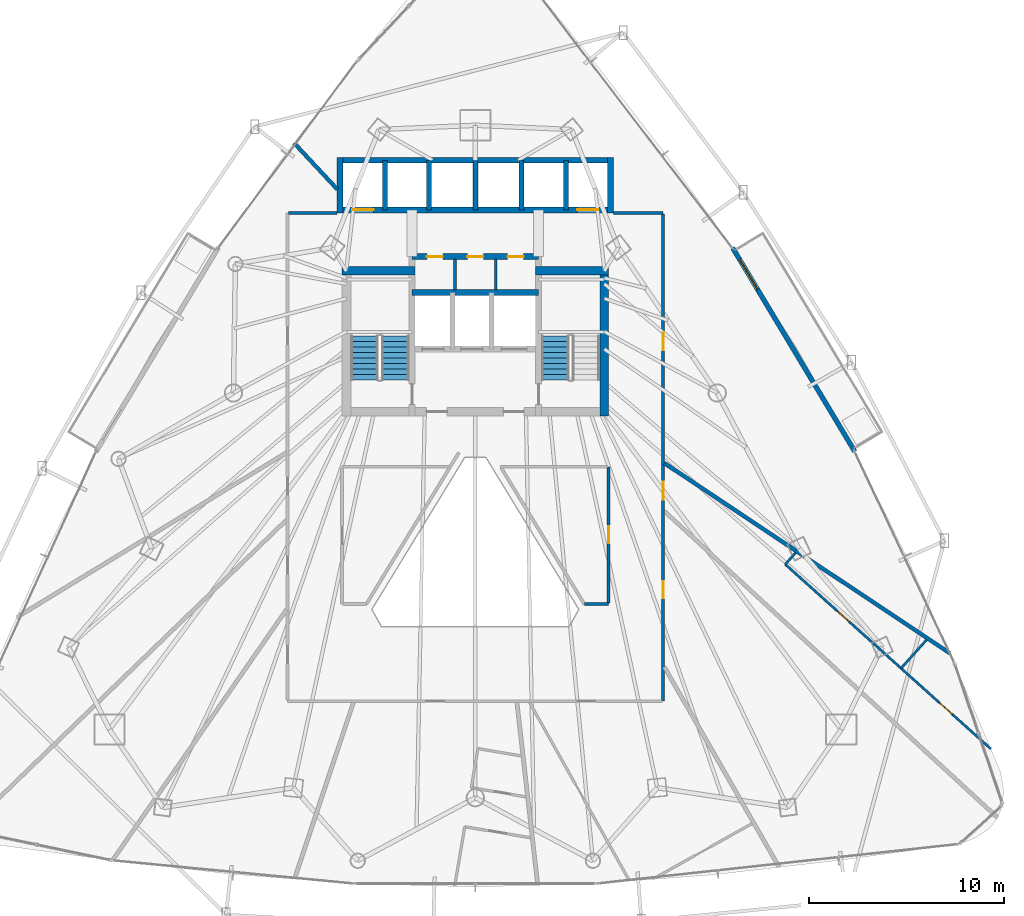
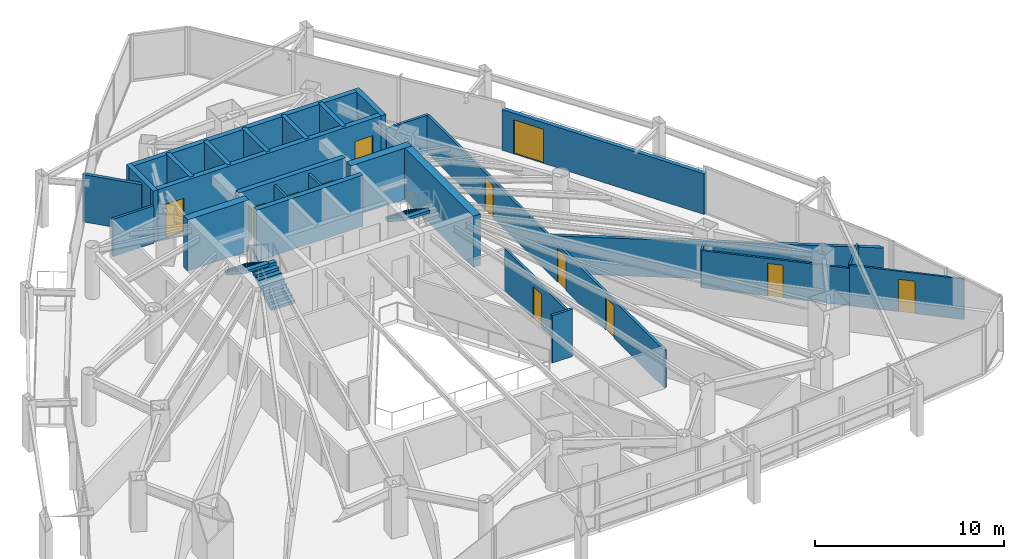
# One storey, part 29 of 33: 28 walls, 12 doors, 3 stair flights, 12 openings, 2 elements without a shape of their own.
"""IFC4 building model written with IfcOpenShell, lengths in metres."""

from ifc_helpers import new_model, si_unit, direction, frame, frame_2d, origin, place, context, subcontext, project, spatial, polyline, rectangle, outline, extrude, material, layer, layer_set, type_object, element, fill, aggregate, save


model = new_model("IFC4")

# Units and contexts
model_context = context("Model", 3, precision=1e-05, world=origin(), true_north=direction((0.0, 1.0)))
body_context = subcontext(model_context, "Body", "Model", "MODEL_VIEW")
ifc_project = project(units=[si_unit("LENGTHUNIT", "METRE"), si_unit("AREAUNIT", "SQUARE_METRE"), si_unit("VOLUMEUNIT", "CUBIC_METRE"), si_unit("PLANEANGLEUNIT", "RADIAN"), si_unit("MASSUNIT", "GRAM", prefix="KILO")], contexts=[model_context])

# Site, building, storey
site_placement = place(None, origin())
site = spatial("IfcSite", under=ifc_project, at=site_placement, CompositionType="ELEMENT")
building_placement = place(site_placement, origin())
building = spatial("IfcBuilding", under=site, at=building_placement, Name="Orvanel Arch Residences", CompositionType="ELEMENT")
storey_placement = place(building_placement, frame((0.0, 0.0, 90.64990234375)))
storey = spatial("IfcBuildingStorey", under=building, at=storey_placement, Name="L25", CompositionType="ELEMENT", Elevation=90.64990234375)

# Wall, opening, door
ifc_material_1 = material(Name="Precast concrete N50 (50 MPa)", Category="concrete")
ifc_layer_1 = layer(ifc_material_1, 0.239990234375)
ifc_layer_set_1 = layer_set([ifc_layer_1], Name="Precast concrete N50 (50 MPa)")
wall_type_1 = type_object("IfcWallType", Name="EW-BAL-240", PredefinedType="SOLIDWALL", material=ifc_layer_set_1)
wall_1_placement = place(storey_placement, frame((52.5029296875, 24.6279296875, 0.0), z_axis=(0.0, 0.0, 1.0), x_axis=(-0.514369419392, 0.857568714678, 0.0)))
wall_1 = element("IfcWall", 1, at=wall_1_placement, inside=storey, type_object=wall_type_1, Name="L25 Balcony Threshold Wall Face 3", PredefinedType="SOLIDWALL", context=body_context, shape_type="SweptSolid", body=[
    extrude(rectangle(XDim=12.220458984375, YDim=0.239990234375, at=frame_2d((6.1103515625, 0.0))), origin(), (0.0, 0.0, 1.0), 2.6240234375),
])
opening_1_placement = place(wall_1_placement, frame((9.722900390625, 0.0, 0.0)))
opening_1 = element("IfcOpeningElement", 2, at=opening_1_placement, cuts=wall_1, Name="Opening DB-180", PredefinedType="OPENING", context=body_context, shape_type="SweptSolid", body=[
    extrude(rectangle(XDim=1.800048828125, YDim=2.199951171875, at=frame_2d((0.89990234375, 1.10009765625))), frame((0.0, 0.1298828125, 0.0), z_axis=(0.0, -1.0, 0.0), x_axis=(1.0, 0.0, 0.0)), (0.0, 0.0, 1.0), 0.260009765625),
])
ifc_material_2 = material(Name="Bronze-anodised aluminium AA6063-T6", Category="aluminium")
door_type_1 = type_object("IfcDoorType", Name="DR-BAL-1800", OperationType="NOTDEFINED", PredefinedType="DOOR", material=ifc_material_2)
door_1_placement = place(opening_1_placement, origin())
door_1 = element("IfcDoor", 3, at=door_1_placement, inside=storey, type_object=door_type_1, Name="DR-L25-BAL-F3 L25 Planted Balcony Access Door Face 3", OperationType="SINGLE_SWING_RIGHT", OverallHeight=2.199951171875, OverallWidth=1.800048828125, PredefinedType="DOOR", context=body_context, shape_type="SweptSolid", body=[
    extrude(rectangle(XDim=1.800048828125, YDim=2.199951171875, at=frame_2d((0.89990234375, 1.10009765625))), frame((0.0, 0.02490234375, 0.0), z_axis=(0.0, -1.0, 0.0), x_axis=(1.0, 0.0, 0.0)), (0.0, 0.0, 1.0), 0.050048828125),
])
fill(opening_1, door_1)

# Walls
ifc_material_3 = material(Name="Concrete N50 (50 MPa)", Category="concrete")
ifc_layer_2 = layer(ifc_material_3, 0.25)
ifc_layer_set_2 = layer_set([ifc_layer_2], Name="Concrete N50 (50 MPa)")
wall_type_2 = type_object("IfcWallType", Name="SW-CORE-250", PredefinedType="SHEAR", material=ifc_layer_set_2)
for number, where, z_axis, x_axis, name in (
    (4, (28.35009765625, 37.050048828125, 0.0), (0.0, 0.0, 1.0), (0.0, 1.0, 0.0), "L25 Passenger Lift Inter-Shaft Wall P13"),
    (5, (30.625, 37.050048828125, 0.0), (0.0, 0.0, 1.0), (0.0, 1.0, 0.0), "L25 Passenger Lift Inter-Shaft Wall P35"),
    (6, (33.0, 37.050048828125, 0.0), (0.0, 0.0, 1.0), (0.0, 1.0, 0.0), "L25 Passenger Lift Inter-Shaft Wall P56"),
    (7, (35.375, 37.050048828125, 0.0), (0.0, 0.0, 1.0), (0.0, 1.0, 0.0), "L25 Passenger Lift Inter-Shaft Wall P64"),
    (8, (37.64990234375, 37.050048828125, 0.0), (0.0, 0.0, 1.0), (0.0, 1.0, 0.0), "L25 Passenger Lift Inter-Shaft Wall P42"),
):
    element("IfcWall", number, at=place(storey_placement, frame(where, z_axis=z_axis, x_axis=x_axis)), inside=storey, type_object=wall_type_2, Name=name, PredefinedType="SHEAR", context=body_context, shape_type="SweptSolid", body=[
        extrude(rectangle(XDim=2.550048828125, YDim=0.25, at=frame_2d((1.27490234375, 0.0))), origin(), (0.0, 0.0, 1.0), 3.300048828125),
    ])
ifc_material_4 = material(Name="Concrete S80 (80 MPa)", Category="concrete")
ifc_layer_3 = layer(ifc_material_4, 0.300048828125)
ifc_layer_set_3 = layer_set([ifc_layer_3], Name="Concrete S80 (80 MPa)")
wall_type_3 = type_object("IfcWallType", Name="SW-CORE-300", PredefinedType="SHEAR", material=ifc_layer_set_3)
wall_2_placement = place(storey_placement, frame((29.75, 32.800048828125, 0.0), z_axis=(0.0, 0.0, 1.0), x_axis=(1.0, 0.0, 0.0)))
element("IfcWall", 9, at=wall_2_placement, inside=storey, type_object=wall_type_3, Name="L25 Emergency Lift Back Core Shear Wall", PredefinedType="SHEAR", context=body_context, shape_type="SweptSolid", body=[
    extrude(rectangle(XDim=6.5, YDim=0.300048828125, at=frame_2d((3.25, 0.0))), origin(), (0.0, 0.0, 1.0), 3.300048828125),
])

# Wall, openings, doors
wall_3_placement = place(storey_placement, frame((29.75, 34.64990234375, 0.0), z_axis=(0.0, 0.0, 1.0), x_axis=(1.0, 0.0, 0.0)))
wall_3 = element("IfcWall", 10, at=wall_3_placement, inside=storey, type_object=wall_type_3, Name="L25 Core Service Band North Shear Wall", PredefinedType="SHEAR", context=body_context, shape_type="SweptSolid", body=[
    extrude(rectangle(XDim=6.5, YDim=0.300048828125, at=frame_2d((3.25, 0.0))), origin(), (0.0, 0.0, 1.0), 3.300048828125),
])
opening_2_placement = place(wall_3_placement, frame((0.764892578125, 0.0, 0.0)))
opening_2 = element("IfcOpeningElement", 11, at=opening_2_placement, cuts=wall_3, Name="Opening DS-082", PredefinedType="OPENING", context=body_context, shape_type="SweptSolid", body=[
    extrude(rectangle(XDim=0.820068359375, YDim=2.10009765625, at=frame_2d((0.41015625, 1.050048828125))), frame((0.0, 0.159912109375, 0.0), z_axis=(0.0, -1.0, 0.0), x_axis=(1.0, 0.0, 0.0)), (0.0, 0.0, 1.0), 0.320068359375),
])
opening_3_placement = place(wall_3_placement, frame((2.840087890625, 0.0, 0.0)))
opening_3 = element("IfcOpeningElement", 12, at=opening_3_placement, cuts=wall_3, Name="Opening DS-082", PredefinedType="OPENING", context=body_context, shape_type="SweptSolid", body=[
    extrude(rectangle(XDim=0.820068359375, YDim=2.10009765625, at=frame_2d((0.41015625, 1.050048828125))), frame((0.0, 0.159912109375, 0.0), z_axis=(0.0, -1.0, 0.0), x_axis=(1.0, 0.0, 0.0)), (0.0, 0.0, 1.0), 0.320068359375),
])
opening_4_placement = place(wall_3_placement, frame((4.9150390625, 0.0, 0.0)))
opening_4 = element("IfcOpeningElement", 13, at=opening_4_placement, cuts=wall_3, Name="Opening DS-082", PredefinedType="OPENING", context=body_context, shape_type="SweptSolid", body=[
    extrude(rectangle(XDim=0.820068359375, YDim=2.10009765625, at=frame_2d((0.41015625, 1.050048828125))), frame((0.0, 0.159912109375, 0.0), z_axis=(0.0, -1.0, 0.0), x_axis=(1.0, 0.0, 0.0)), (0.0, 0.0, 1.0), 0.320068359375),
])
ifc_material_5 = material(Name="Galvanised steel fire-resisting door assembly", Category="steel")
door_type_2 = type_object("IfcDoorType", Name="DR-SVC-820", OperationType="NOTDEFINED", PredefinedType="DOOR", material=ifc_material_5)
door_2_placement = place(opening_2_placement, origin())
door_2 = element("IfcDoor", 14, at=door_2_placement, inside=storey, type_object=door_type_2, Name="DR-L25-CSVC-1 L25 Housekeeping Store Door", OperationType="SINGLE_SWING_LEFT", OverallHeight=2.10009765625, OverallWidth=0.820068359375, PredefinedType="DOOR", context=body_context, shape_type="SweptSolid", body=[
    extrude(rectangle(XDim=0.820068359375, YDim=2.10009765625, at=frame_2d((0.41015625, 1.050048828125))), frame((0.0, 0.02490234375, 0.0), z_axis=(0.0, -1.0, 0.0), x_axis=(1.0, 0.0, 0.0)), (0.0, 0.0, 1.0), 0.050048828125),
])
fill(opening_2, door_2)
door_3_placement = place(opening_3_placement, origin())
door_3 = element("IfcDoor", 15, at=door_3_placement, inside=storey, type_object=door_type_2, Name="DR-L25-CSVC-2 L25 Cleaner's Store Door", OperationType="SINGLE_SWING_LEFT", OverallHeight=2.10009765625, OverallWidth=0.820068359375, PredefinedType="DOOR", context=body_context, shape_type="SweptSolid", body=[
    extrude(rectangle(XDim=0.820068359375, YDim=2.10009765625, at=frame_2d((0.41015625, 1.050048828125))), frame((0.0, 0.02490234375, 0.0), z_axis=(0.0, -1.0, 0.0), x_axis=(1.0, 0.0, 0.0)), (0.0, 0.0, 1.0), 0.050048828125),
])
fill(opening_3, door_3)
door_4_placement = place(opening_4_placement, origin())
door_4 = element("IfcDoor", 16, at=door_4_placement, inside=storey, type_object=door_type_2, Name="DR-L25-CSVC-3 L25 Comms Riser Store Door", OperationType="SINGLE_SWING_LEFT", OverallHeight=2.10009765625, OverallWidth=0.820068359375, PredefinedType="DOOR", context=body_context, shape_type="SweptSolid", body=[
    extrude(rectangle(XDim=0.820068359375, YDim=2.10009765625, at=frame_2d((0.41015625, 1.050048828125))), frame((0.0, 0.02490234375, 0.0), z_axis=(0.0, -1.0, 0.0), x_axis=(1.0, 0.0, 0.0)), (0.0, 0.0, 1.0), 0.050048828125),
])
fill(opening_4, door_4)

wall_4_placement = place(storey_placement, frame((40.10009765625, 37.050048828125, 0.0), z_axis=(0.0, 0.0, 1.0), x_axis=(-1.0, 0.0, 0.0)))
wall_4 = element("IfcWall", 17, at=wall_4_placement, inside=storey, type_object=wall_type_3, Name="L25 Passenger Lift Bank Front Shear Wall", PredefinedType="SHEAR", context=body_context, shape_type="SweptSolid", body=[
    extrude(rectangle(XDim=14.2001953125, YDim=0.300048828125, at=frame_2d((7.10009765625, 0.0))), origin(), (0.0, 0.0, 1.0), 3.300048828125),
])
opening_5_placement = place(wall_4_placement, frame((12.324951171875, 0.0, 0.0)))
opening_5 = element("IfcOpeningElement", 18, at=opening_5_placement, cuts=wall_4, Name="Opening LD-110", PredefinedType="OPENING", context=body_context, shape_type="SweptSolid", body=[
    extrude(rectangle(XDim=1.10009765625, YDim=2.199951171875, at=frame_2d((0.550048828125, 1.10009765625))), frame((0.0, 0.159912109375, 0.0), z_axis=(0.0, -1.0, 0.0), x_axis=(1.0, 0.0, 0.0)), (0.0, 0.0, 1.0), 0.320068359375),
])
opening_6_placement = place(wall_4_placement, frame((0.77490234375, 0.0, 0.0)))
opening_6 = element("IfcOpeningElement", 19, at=opening_6_placement, cuts=wall_4, Name="Opening LD-110", PredefinedType="OPENING", context=body_context, shape_type="SweptSolid", body=[
    extrude(rectangle(XDim=1.10009765625, YDim=2.199951171875, at=frame_2d((0.550048828125, 1.10009765625))), frame((0.0, 0.159912109375, 0.0), z_axis=(0.0, -1.0, 0.0), x_axis=(1.0, 0.0, 0.0)), (0.0, 0.0, 1.0), 0.320068359375),
])
door_type_3 = type_object("IfcDoorType", Name="DR-LFT-1100", OperationType="NOTDEFINED", PredefinedType="DOOR", material=ifc_material_5)
door_5_placement = place(opening_5_placement, origin())
door_5 = element("IfcDoor", 20, at=door_5_placement, inside=storey, type_object=door_type_3, Name="LD-P1-L25 L25 Passenger Lift P1 Sliding Landing Door", OperationType="DOUBLE_DOOR_SLIDING", OverallHeight=2.199951171875, OverallWidth=1.10009765625, PredefinedType="DOOR", context=body_context, shape_type="SweptSolid", body=[
    extrude(rectangle(XDim=1.10009765625, YDim=2.199951171875, at=frame_2d((0.550048828125, 1.10009765625))), frame((0.0, 0.02490234375, 0.0), z_axis=(0.0, -1.0, 0.0), x_axis=(1.0, 0.0, 0.0)), (0.0, 0.0, 1.0), 0.050048828125),
])
fill(opening_5, door_5)
door_6_placement = place(opening_6_placement, origin())
door_6 = element("IfcDoor", 21, at=door_6_placement, inside=storey, type_object=door_type_3, Name="LD-P2-L25 L25 Passenger Lift P2 Sliding Landing Door", OperationType="DOUBLE_DOOR_SLIDING", OverallHeight=2.199951171875, OverallWidth=1.10009765625, PredefinedType="DOOR", context=body_context, shape_type="SweptSolid", body=[
    extrude(rectangle(XDim=1.10009765625, YDim=2.199951171875, at=frame_2d((0.550048828125, 1.10009765625))), frame((0.0, 0.02490234375, 0.0), z_axis=(0.0, -1.0, 0.0), x_axis=(1.0, 0.0, 0.0)), (0.0, 0.0, 1.0), 0.050048828125),
])
fill(opening_6, door_6)

# Walls
wall_5_placement = place(storey_placement, frame((25.89990234375, 39.60009765625, 0.0), z_axis=(0.0, 0.0, 1.0), x_axis=(1.0, 0.0, 0.0)))
element("IfcWall", 22, at=wall_5_placement, inside=storey, type_object=wall_type_3, Name="L25 Passenger Lift Bank North Shear Wall", PredefinedType="SHEAR", context=body_context, shape_type="SweptSolid", body=[
    extrude(rectangle(XDim=14.2001953125, YDim=0.300048828125, at=frame_2d((7.10009765625, 0.0))), origin(), (0.0, 0.0, 1.0), 3.300048828125),
])
for number, where, z_axis, x_axis, name in (
    (23, (26.050048828125, 36.89990234375, 0.0), (0.0, 0.0, 1.0), (0.0, 1.0, 0.0), "L25 Passenger Lift Bank West Shear Wall"),
    (24, (39.949951171875, 36.89990234375, 0.0), (0.0, 0.0, 1.0), (0.0, 1.0, 0.0), "L25 Passenger Lift Bank East Shear Wall"),
):
    element("IfcWall", number, at=place(storey_placement, frame(where, z_axis=z_axis, x_axis=x_axis)), inside=storey, type_object=wall_type_3, Name=name, PredefinedType="SHEAR", context=body_context, shape_type="SweptSolid", body=[
        extrude(rectangle(XDim=2.85009765625, YDim=0.300048828125, at=frame_2d((1.425048828125, 0.0))), origin(), (0.0, 0.0, 1.0), 3.300048828125),
    ])
ifc_layer_4 = layer(ifc_material_4, 0.449951171875)
ifc_layer_set_4 = layer_set([ifc_layer_4], Name="Concrete S80 (80 MPa)")
wall_type_4 = type_object("IfcWallType", Name="SW-CORE-450", PredefinedType="SHEAR", material=ifc_layer_set_4)
wall_6_placement = place(storey_placement, frame((26.14990234375, 33.925048828125, 0.0), z_axis=(0.0, 0.0, 1.0), x_axis=(1.0, 0.0, 0.0)))
element("IfcWall", 25, at=wall_6_placement, inside=storey, type_object=wall_type_4, Name="L25 West Stair North Shear Wall", PredefinedType="SHEAR", context=body_context, shape_type="SweptSolid", body=[
    extrude(rectangle(XDim=3.75, YDim=0.449951171875, at=frame_2d((1.875, 0.0))), origin(), (0.0, 0.0, 1.0), 3.300048828125),
])
wall_7_placement = place(storey_placement, frame((39.625, 26.449951171875, 0.0), z_axis=(0.0, 0.0, 1.0), x_axis=(0.0, 1.0, 0.0)))
element("IfcWall", 26, at=wall_7_placement, inside=storey, type_object=wall_type_4, Name="L25 East Stair Shear Wall", PredefinedType="SHEAR", context=body_context, shape_type="SweptSolid", body=[
    extrude(rectangle(XDim=7.699951171875, YDim=0.449951171875, at=frame_2d((3.85009765625, 0.0))), origin(), (0.0, 0.0, 1.0), 3.300048828125),
])
wall_8_placement = place(storey_placement, frame((36.10009765625, 33.925048828125, 0.0), z_axis=(0.0, 0.0, 1.0), x_axis=(1.0, 0.0, 0.0)))
element("IfcWall", 27, at=wall_8_placement, inside=storey, type_object=wall_type_4, Name="L25 East Stair North Shear Wall", PredefinedType="SHEAR", context=body_context, shape_type="SweptSolid", body=[
    extrude(rectangle(XDim=3.75, YDim=0.449951171875, at=frame_2d((1.875, 0.0))), origin(), (0.0, 0.0, 1.0), 3.300048828125),
])
ifc_material_6 = material(Name="Fire-rated plasterboard lined steel stud partition", Category="steel")
ifc_layer_5 = layer(ifc_material_6, 0.14990234375)
ifc_layer_set_5 = layer_set([ifc_layer_5], Name="Fire-rated plasterboard lined steel stud partition")
wall_type_5 = type_object("IfcWallType", Name="W-COR-150", PredefinedType="PARTITIONING", material=ifc_layer_set_5)
wall_9_placement = place(storey_placement, frame((40.10009765625, 36.89990234375, 0.0), z_axis=(0.0, 0.0, 1.0), x_axis=(1.0, 0.0, 0.0)))
element("IfcWall", 28, at=wall_9_placement, inside=storey, type_object=wall_type_5, Name="L25 Corridor Fire-Rated Partition", PredefinedType="PARTITIONING", context=body_context, shape_type="SweptSolid", body=[
    extrude(rectangle(XDim=2.5498046875, YDim=0.14990234375, at=frame_2d((1.27490234375, 0.0))), origin(), (0.0, 0.0, 1.0), 2.4130859375),
])

# Wall, openings, doors
wall_10_placement = place(storey_placement, frame((42.64990234375, 36.840087890625, 0.0), z_axis=(0.0, 0.0, 1.0), x_axis=(0.0, -1.0, 0.0)))
wall_10 = element("IfcWall", 29, at=wall_10_placement, inside=storey, type_object=wall_type_5, Name="L25 Corridor Fire-Rated Partition", PredefinedType="PARTITIONING", context=body_context, shape_type="SweptSolid", body=[
    extrude(rectangle(XDim=25.0400390625, YDim=0.14990234375, at=frame_2d((12.52001953125, 0.0))), origin(), (0.0, 0.0, 1.0), 2.4130859375),
])
opening_7_placement = place(wall_10_placement, frame((6.114013671875, 0.0, 0.0)))
opening_7 = element("IfcOpeningElement", 30, at=opening_7_placement, cuts=wall_10, Name="Opening DI-088", PredefinedType="OPENING", context=body_context, shape_type="SweptSolid", body=[
    extrude(rectangle(XDim=0.8798828125, YDim=2.10009765625, at=frame_2d((0.43994140625, 1.050048828125))), frame((0.0, 0.0849609375, 0.0), z_axis=(0.0, -1.0, 0.0), x_axis=(1.0, 0.0, 0.0)), (0.0, 0.0, 1.0), 0.169921875),
])
opening_8_placement = place(wall_10_placement, frame((18.864013671875, 0.0, 0.0)))
opening_8 = element("IfcOpeningElement", 31, at=opening_8_placement, cuts=wall_10, Name="Opening DI-088", PredefinedType="OPENING", context=body_context, shape_type="SweptSolid", body=[
    extrude(rectangle(XDim=0.8798828125, YDim=2.10009765625, at=frame_2d((0.43994140625, 1.050048828125))), frame((0.0, 0.0849609375, 0.0), z_axis=(0.0, -1.0, 0.0), x_axis=(1.0, 0.0, 0.0)), (0.0, 0.0, 1.0), 0.169921875),
])
opening_9_placement = place(wall_10_placement, frame((13.764892578125, 0.0, 0.0)))
opening_9 = element("IfcOpeningElement", 32, at=opening_9_placement, cuts=wall_10, Name="Opening DA-092", PredefinedType="OPENING", context=body_context, shape_type="SweptSolid", body=[
    extrude(rectangle(XDim=0.919921875, YDim=2.14990234375, at=frame_2d((0.4599609375, 1.074951171875))), frame((0.0, 0.0849609375, 0.0), z_axis=(0.0, -1.0, 0.0), x_axis=(1.0, 0.0, 0.0)), (0.0, 0.0, 1.0), 0.169921875),
])
ifc_material_7 = material(Name="Solid-core European oak veneer fire door leaf", Category="wood")
door_type_4 = type_object("IfcDoorType", Name="DR-APT-920", OperationType="NOTDEFINED", PredefinedType="DOOR", material=ifc_material_7)
door_7_placement = place(opening_9_placement, origin())
door_7 = element("IfcDoor", 33, at=door_7_placement, inside=storey, type_object=door_type_4, Name="DR-L25-G-ENT L25 Studio G Entrance Door", OperationType="SINGLE_SWING_RIGHT", OverallHeight=2.14990234375, OverallWidth=0.919921875, PredefinedType="DOOR", context=body_context, shape_type="SweptSolid", body=[
    extrude(rectangle(XDim=0.919921875, YDim=2.14990234375, at=frame_2d((0.4599609375, 1.074951171875))), frame((0.0, 0.02490234375, 0.0), z_axis=(0.0, -1.0, 0.0), x_axis=(1.0, 0.0, 0.0)), (0.0, 0.0, 1.0), 0.050048828125),
])
fill(opening_9, door_7)
door_type_5 = type_object("IfcDoorType", Name="DR-INT-880", OperationType="NOTDEFINED", PredefinedType="DOOR", material=ifc_material_7)
door_8_placement = place(opening_7_placement, origin())
door_8 = element("IfcDoor", 34, at=door_8_placement, inside=storey, type_object=door_type_5, Name="DR-L25-STU25-1 L25 Resident Study Lounge 1 Door", OperationType="SINGLE_SWING_LEFT", OverallHeight=2.10009765625, OverallWidth=0.8798828125, PredefinedType="DOOR", context=body_context, shape_type="SweptSolid", body=[
    extrude(rectangle(XDim=0.8798828125, YDim=2.10009765625, at=frame_2d((0.43994140625, 1.050048828125))), frame((0.0, 0.02490234375, 0.0), z_axis=(0.0, -1.0, 0.0), x_axis=(1.0, 0.0, 0.0)), (0.0, 0.0, 1.0), 0.050048828125),
])
fill(opening_7, door_8)
door_9_placement = place(opening_8_placement, origin())
door_9 = element("IfcDoor", 35, at=door_9_placement, inside=storey, type_object=door_type_5, Name="DR-L25-STU25-2 L25 Resident Study Lounge 2 Door", OperationType="SINGLE_SWING_LEFT", OverallHeight=2.10009765625, OverallWidth=0.8798828125, PredefinedType="DOOR", context=body_context, shape_type="SweptSolid", body=[
    extrude(rectangle(XDim=0.8798828125, YDim=2.10009765625, at=frame_2d((0.43994140625, 1.050048828125))), frame((0.0, 0.02490234375, 0.0), z_axis=(0.0, -1.0, 0.0), x_axis=(1.0, 0.0, 0.0)), (0.0, 0.0, 1.0), 0.050048828125),
])
fill(opening_8, door_9)

# Walls
wall_11_placement = place(storey_placement, frame((23.409912109375, 36.89990234375, 0.0), z_axis=(0.0, 0.0, 1.0), x_axis=(1.0, 0.0, 0.0)))
element("IfcWall", 36, at=wall_11_placement, inside=storey, type_object=wall_type_5, Name="L25 Corridor Fire-Rated Partition", PredefinedType="PARTITIONING", context=body_context, shape_type="SweptSolid", body=[
    extrude(rectangle(XDim=2.489990234375, YDim=0.14990234375, at=frame_2d((1.2451171875, 0.0))), origin(), (0.0, 0.0, 1.0), 2.4130859375),
])
wall_12_placement = place(storey_placement, frame((38.60400390625, 16.800048828125, 0.0), z_axis=(0.0, 0.0, 1.0), x_axis=(1.0, 0.0, 0.0)))
element("IfcWall", 37, at=wall_12_placement, inside=storey, type_object=wall_type_5, Name="L25 Corridor Fire-Rated Partition", PredefinedType="PARTITIONING", context=body_context, shape_type="SweptSolid", body=[
    extrude(rectangle(XDim=1.24609375, YDim=0.14990234375, at=frame_2d((0.623046875, 0.0))), origin(), (0.0, 0.0, 1.0), 3.06005859375),
])

# Wall, opening, door
wall_13_placement = place(storey_placement, frame((39.85009765625, 16.860107421875, 0.0), z_axis=(0.0, 0.0, 1.0), x_axis=(0.0, 1.0, 0.0)))
wall_13 = element("IfcWall", 38, at=wall_13_placement, inside=storey, type_object=wall_type_5, Name="L25 Corridor Fire-Rated Partition", PredefinedType="PARTITIONING", context=body_context, shape_type="SweptSolid", body=[
    extrude(rectangle(XDim=6.989990234375, YDim=0.14990234375, at=frame_2d((3.4951171875, 0.0))), origin(), (0.0, 0.0, 1.0), 2.669189453125),
])
opening_10_placement = place(wall_13_placement, frame((3.054931640625, 0.0, 0.0)))
opening_10 = element("IfcOpeningElement", 39, at=opening_10_placement, cuts=wall_13, Name="Opening DI-088", PredefinedType="OPENING", context=body_context, shape_type="SweptSolid", body=[
    extrude(rectangle(XDim=0.8798828125, YDim=2.10009765625, at=frame_2d((0.43994140625, 1.050048828125))), frame((0.0, 0.0849609375, 0.0), z_axis=(0.0, -1.0, 0.0), x_axis=(1.0, 0.0, 0.0)), (0.0, 0.0, 1.0), 0.169921875),
])
door_10_placement = place(opening_10_placement, origin())
door_10 = element("IfcDoor", 40, at=door_10_placement, inside=storey, type_object=door_type_5, Name="DR-L25-SHRD-FB8 L25 Co-Working Study Office H Door", OperationType="SINGLE_SWING_LEFT", OverallHeight=2.10009765625, OverallWidth=0.8798828125, PredefinedType="DOOR", context=body_context, shape_type="SweptSolid", body=[
    extrude(rectangle(XDim=0.8798828125, YDim=2.10009765625, at=frame_2d((0.43994140625, 1.050048828125))), frame((0.0, 0.02490234375, 0.0), z_axis=(0.0, -1.0, 0.0), x_axis=(1.0, 0.0, 0.0)), (0.0, 0.0, 1.0), 0.050048828125),
])
fill(opening_10, door_10)

# Walls
ifc_layer_6 = layer(ifc_material_6, 0.199951171875)
ifc_layer_set_6 = layer_set([ifc_layer_6], Name="Fire-rated plasterboard lined steel stud partition")
wall_type_6 = type_object("IfcWallType", Name="W-DEM-200", PredefinedType="PARTITIONING", material=ifc_layer_set_6)
wall_14_placement = place(storey_placement, frame((25.9150390625, 38.097900390625, 0.0), z_axis=(0.0, 0.0, 1.0), x_axis=(-0.682046951702, 0.731308386165, 0.0)))
element("IfcWall", 41, at=wall_14_placement, inside=storey, type_object=wall_type_6, Name="L25 Inter-Tenancy Acoustic Demising Wall", PredefinedType="PARTITIONING", context=body_context, shape_type="SweptSolid", body=[
    extrude(rectangle(XDim=3.27099609375, YDim=0.199951171875, at=frame_2d((1.635498046875, 0.0))), origin(), (0.0, 0.0, 1.0), 3.06005859375),
])
wall_15_placement = place(storey_placement, frame((57.39306640625, 14.262939453125, 0.0), z_axis=(0.0, 0.0, 1.0), x_axis=(-0.83243126042, 0.554128321488, 0.0)))
element("IfcWall", 42, at=wall_15_placement, inside=storey, type_object=wall_type_6, Name="L25 Inter-Tenancy Acoustic Demising Wall", PredefinedType="PARTITIONING", context=body_context, shape_type="SweptSolid", body=[
    extrude(rectangle(XDim=17.638916015625, YDim=0.199951171875, at=frame_2d((8.8193359375, 0.0))), origin(), (0.0, 0.0, 1.0), 2.4130859375),
])
ifc_layer_7 = layer(ifc_material_6, 0.14990234375)
ifc_layer_set_7 = layer_set([ifc_layer_7], Name="Fire-rated plasterboard lined steel stud partition")
wall_type_7 = type_object("IfcWallType", Name="W-ST-150", PredefinedType="PARTITIONING", material=ifc_layer_set_7)
for number, where, z_axis, x_axis, name in (
    (43, (31.949951171875, 32.93505859375, 0.0), (0.0, 0.0, 1.0), (0.0, 1.0, 0.0), "L25 Core Service Partition 1"),
    (44, (34.050048828125, 32.93505859375, 0.0), (0.0, 0.0, 1.0), (0.0, 1.0, 0.0), "L25 Core Service Partition 2"),
):
    element("IfcWall", number, at=place(storey_placement, frame(where, z_axis=z_axis, x_axis=x_axis)), inside=storey, type_object=wall_type_7, Name=name, PredefinedType="PARTITIONING", context=body_context, shape_type="SweptSolid", body=[
        extrude(rectangle(XDim=1.579833984375, YDim=0.14990234375, at=frame_2d((0.7900390625, 0.0))), origin(), (0.0, 0.0, 1.0), 3.06005859375),
    ])
ifc_material_8 = material(Name="Acoustic plasterboard lined twin-stud partition", Category="gypsum")
ifc_layer_8 = layer(ifc_material_8, 0.1201171875)
ifc_layer_set_8 = layer_set([ifc_layer_8], Name="Acoustic plasterboard lined twin-stud partition")
wall_type_8 = type_object("IfcWallType", Name="W-WET-120", PredefinedType="PARTITIONING", material=ifc_layer_set_8)
wall_16_placement = place(storey_placement, frame((49.467041015625, 19.43701171875, 0.0), z_axis=(0.0, 0.0, 1.0), x_axis=(-0.667729657393, -0.744403858559, 0.0)))
element("IfcWall", 45, at=wall_16_placement, inside=storey, type_object=wall_type_8, Name="L25 Studio G Bathroom Partition", PredefinedType="PARTITIONING", context=body_context, shape_type="SweptSolid", body=[
    extrude(rectangle(XDim=0.808837890625, YDim=0.1201171875, at=frame_2d((0.404296875, 0.0))), origin(), (0.0, 0.0, 1.0), 2.4130859375),
])

# Wall, opening, door
wall_17_placement = place(storey_placement, frame((48.927001953125, 18.8349609375, 0.0), z_axis=(0.0, 0.0, 1.0), x_axis=(0.744157434795, -0.668004275615, 0.0)))
wall_17 = element("IfcWall", 46, at=wall_17_placement, inside=storey, type_object=wall_type_8, Name="L25 Studio G Bathroom Partition", PredefinedType="PARTITIONING", context=body_context, shape_type="SweptSolid", body=[
    extrude(rectangle(XDim=7.99560546875, YDim=0.1201171875, at=frame_2d((3.997802734375, 0.0))), origin(), (0.0, 0.0, 1.0), 2.4130859375),
])
opening_11_placement = place(wall_17_placement, frame((3.587890625, 0.0, 0.0)))
opening_11 = element("IfcOpeningElement", 47, at=opening_11_placement, cuts=wall_17, Name="Opening DW-082", PredefinedType="OPENING", context=body_context, shape_type="SweptSolid", body=[
    extrude(rectangle(XDim=0.820068359375, YDim=2.10009765625, at=frame_2d((0.41015625, 1.050048828125))), frame((0.0, 0.070068359375, 0.0), z_axis=(0.0, -1.0, 0.0), x_axis=(1.0, 0.0, 0.0)), (0.0, 0.0, 1.0), 0.14013671875),
])
door_type_6 = type_object("IfcDoorType", Name="DR-WET-820", OperationType="NOTDEFINED", PredefinedType="DOOR", material=ifc_material_7)
door_11_placement = place(opening_11_placement, origin())
door_11 = element("IfcDoor", 48, at=door_11_placement, inside=storey, type_object=door_type_6, Name="DR-L25-G-BATH L25 Studio G Bathroom Door", OperationType="SINGLE_SWING_RIGHT", OverallHeight=2.10009765625, OverallWidth=0.820068359375, PredefinedType="DOOR", context=body_context, shape_type="SweptSolid", body=[
    extrude(rectangle(XDim=0.820068359375, YDim=2.10009765625, at=frame_2d((0.41015625, 1.050048828125))), frame((0.0, 0.02490234375, 0.0), z_axis=(0.0, -1.0, 0.0), x_axis=(1.0, 0.0, 0.0)), (0.0, 0.0, 1.0), 0.050048828125),
])
fill(opening_11, door_11)

wall_18_placement = place(storey_placement, frame((54.876953125, 13.493896484375, 0.0), z_axis=(0.0, 0.0, 1.0), x_axis=(0.744181011259, -0.667978010477, 0.0)))
wall_18 = element("IfcWall", 49, at=wall_18_placement, inside=storey, type_object=wall_type_8, Name="L25 Studio G Internal Partition", PredefinedType="PARTITIONING", context=body_context, shape_type="SweptSolid", body=[
    extrude(rectangle(XDim=6.1962890625, YDim=0.1201171875, at=frame_2d((3.09814453125, 0.0))), origin(), (0.0, 0.0, 1.0), 2.619140625),
])
opening_12_placement = place(wall_18_placement, frame((2.657958984375, 0.0, 0.0)))
opening_12 = element("IfcOpeningElement", 50, at=opening_12_placement, cuts=wall_18, Name="Opening DI-088", PredefinedType="OPENING", context=body_context, shape_type="SweptSolid", body=[
    extrude(rectangle(XDim=0.8798828125, YDim=2.10009765625, at=frame_2d((0.43994140625, 1.050048828125))), frame((0.0, 0.070068359375, 0.0), z_axis=(0.0, -1.0, 0.0), x_axis=(1.0, 0.0, 0.0)), (0.0, 0.0, 1.0), 0.14013671875),
])
door_12_placement = place(opening_12_placement, origin())
door_12 = element("IfcDoor", 51, at=door_12_placement, inside=storey, type_object=door_type_5, Name="DR-L25-G-KIT L25 Studio G Kitchenette Door", OperationType="SINGLE_SWING_LEFT", OverallHeight=2.10009765625, OverallWidth=0.8798828125, PredefinedType="DOOR", context=body_context, shape_type="SweptSolid", body=[
    extrude(rectangle(XDim=0.8798828125, YDim=2.10009765625, at=frame_2d((0.43994140625, 1.050048828125))), frame((0.0, 0.02490234375, 0.0), z_axis=(0.0, -1.0, 0.0), x_axis=(1.0, 0.0, 0.0)), (0.0, 0.0, 1.0), 0.050048828125),
])
fill(opening_12, door_12)

# Wall
wall_19_placement = place(storey_placement, frame((56.193115234375, 14.9599609375, 0.0), z_axis=(0.0, 0.0, 1.0), x_axis=(-0.668039966909, -0.744125394414, 0.0)))
element("IfcWall", 52, at=wall_19_placement, inside=storey, type_object=wall_type_8, Name="L25 Studio G Bathroom Partition", PredefinedType="PARTITIONING", context=body_context, shape_type="SweptSolid", body=[
    extrude(rectangle(XDim=1.97021484375, YDim=0.1201171875, at=frame_2d((0.985107421875, 0.0))), origin(), (0.0, 0.0, 1.0), 2.619140625),
])

# Stair, stair flights
stair_type = type_object("IfcStairType", Name="STR-DOG-184", PredefinedType="USERDEFINED", material=ifc_material_1)
stair_1_placement = place(storey_placement, origin())
stair_1 = element("IfcStair", 53, at=stair_1_placement, inside=storey, type_object=stair_type, Name="L25 Fire-Isolated Core Exit Stair 1", ObjectType="TWO_RETURN_STAIR", PredefinedType="USERDEFINED")
stair_flight_type_1 = type_object("IfcStairFlightType", Name="SFL-C1-184", PredefinedType="STRAIGHT", material=ifc_material_1)
stair_flight_1_placement = place(storey_placement, frame((28.889892578125, 28.320068359375, 0.0), z_axis=(0.0, 0.0, 1.0), x_axis=(0.0, 1.0, 0.0)))
stair_flight_1 = element("IfcStairFlight", 54, at=stair_flight_1_placement, type_object=stair_flight_type_1, Name="ST-1 flight 1", NumberOfRisers=9, NumberOfTreads=8, PredefinedType="STRAIGHT", RiserHeight=0.183333333, TreadLength=0.28, context=body_context, shape_type="SweptSolid", body=[
    extrude(outline(polyline([(0.0, 0.0), (0.0, 0.183349609375), (0.280029296875, 0.183349609375), (0.280029296875, 0.36669921875), (0.56005859375, 0.36669921875), (0.56005859375, 0.550048828125), (0.840087890625, 0.550048828125), (0.840087890625, 0.7333984375), (1.1201171875, 0.7333984375), (1.1201171875, 0.916748046875), (1.39990234375, 0.916748046875), (1.39990234375, 1.10009765625), (1.679931640625, 1.10009765625), (1.679931640625, 1.283447265625), (1.9599609375, 1.283447265625), (1.9599609375, 1.466552734375), (2.239990234375, 1.466552734375), (2.239990234375, 1.64990234375), (2.239990234375, 1.28759765625), (0.273681640625, 0.0), (0.0, 0.0)])), frame((0.0, 0.7099609375, 0.0), z_axis=(0.0, -1.0, 0.0), x_axis=(1.0, 0.0, 0.0)), (0.0, 0.0, 1.0), 1.419921875),
])
stair_flight_2_placement = place(storey_placement, frame((27.31005859375, 30.56005859375, 1.650146484375), z_axis=(0.0, 0.0, 1.0), x_axis=(0.0, -1.0, 0.0)))
stair_flight_2 = element("IfcStairFlight", 55, at=stair_flight_2_placement, type_object=stair_flight_type_1, Name="ST-1 flight 2", NumberOfRisers=9, NumberOfTreads=8, PredefinedType="STRAIGHT", RiserHeight=0.183333333, TreadLength=0.28, context=body_context, shape_type="SweptSolid", body=[
    extrude(outline(polyline([(0.0, 0.0), (0.0, 0.183349609375), (0.280029296875, 0.183349609375), (0.280029296875, 0.36669921875), (0.56005859375, 0.36669921875), (0.56005859375, 0.550048828125), (0.840087890625, 0.550048828125), (0.840087890625, 0.7333984375), (1.1201171875, 0.7333984375), (1.1201171875, 0.916748046875), (1.39990234375, 0.916748046875), (1.39990234375, 1.10009765625), (1.679931640625, 1.10009765625), (1.679931640625, 1.283447265625), (1.9599609375, 1.283447265625), (1.9599609375, 1.466552734375), (2.239990234375, 1.466552734375), (2.239990234375, 1.64990234375), (2.239990234375, 1.28759765625), (0.273681640625, 0.0), (0.0, 0.0)])), frame((0.0, 0.7099609375, 0.0), z_axis=(0.0, -1.0, 0.0), x_axis=(1.0, 0.0, 0.0)), (0.0, 0.0, 1.0), 1.419921875),
])
aggregate(stair_1, [stair_flight_1, stair_flight_2])

# Stair, stair flight
stair_2_placement = place(storey_placement, origin())
stair_2 = element("IfcStair", 56, at=stair_2_placement, inside=storey, type_object=stair_type, Name="L25 Fire-Isolated Core Exit Stair 2", ObjectType="TWO_RETURN_STAIR", PredefinedType="USERDEFINED")
stair_flight_type_2 = type_object("IfcStairFlightType", Name="SFL-C2-184", PredefinedType="STRAIGHT", material=ifc_material_1)
stair_flight_3_placement = place(storey_placement, frame((37.110107421875, 30.56005859375, 1.650146484375), z_axis=(0.0, 0.0, 1.0), x_axis=(0.0, -1.0, 0.0)))
stair_flight_3 = element("IfcStairFlight", 57, at=stair_flight_3_placement, type_object=stair_flight_type_2, Name="ST-2 flight 2", NumberOfRisers=9, NumberOfTreads=8, PredefinedType="STRAIGHT", RiserHeight=0.183333333, TreadLength=0.28, context=body_context, shape_type="SweptSolid", body=[
    extrude(outline(polyline([(0.0, 0.0), (0.0, 0.183349609375), (0.280029296875, 0.183349609375), (0.280029296875, 0.36669921875), (0.56005859375, 0.36669921875), (0.56005859375, 0.550048828125), (0.840087890625, 0.550048828125), (0.840087890625, 0.7333984375), (1.1201171875, 0.7333984375), (1.1201171875, 0.916748046875), (1.39990234375, 0.916748046875), (1.39990234375, 1.10009765625), (1.679931640625, 1.10009765625), (1.679931640625, 1.283447265625), (1.9599609375, 1.283447265625), (1.9599609375, 1.466552734375), (2.239990234375, 1.466552734375), (2.239990234375, 1.64990234375), (2.239990234375, 1.28759765625), (0.273681640625, 0.0), (0.0, 0.0)])), frame((0.0, 0.7099609375, 0.0), z_axis=(0.0, -1.0, 0.0), x_axis=(1.0, 0.0, 0.0)), (0.0, 0.0, 1.0), 1.419921875),
])
aggregate(stair_2, [stair_flight_3])

save(model, "model.ifc")
